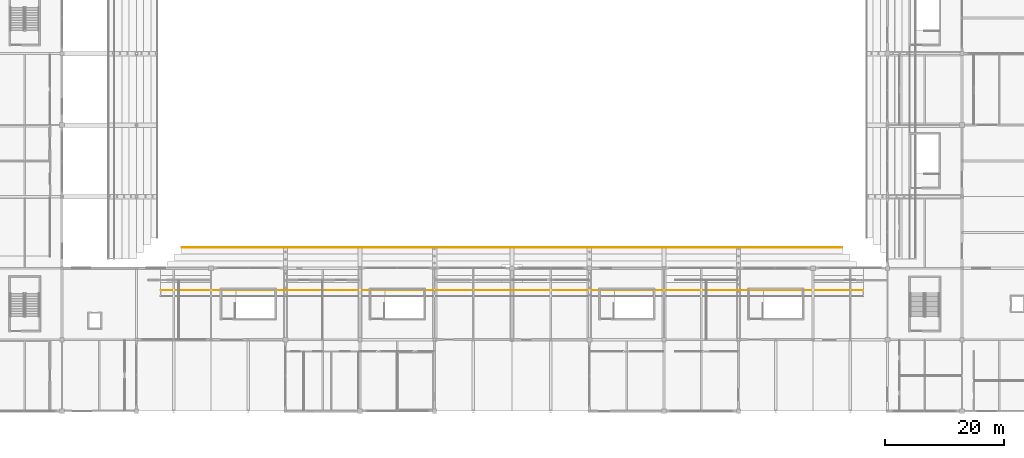
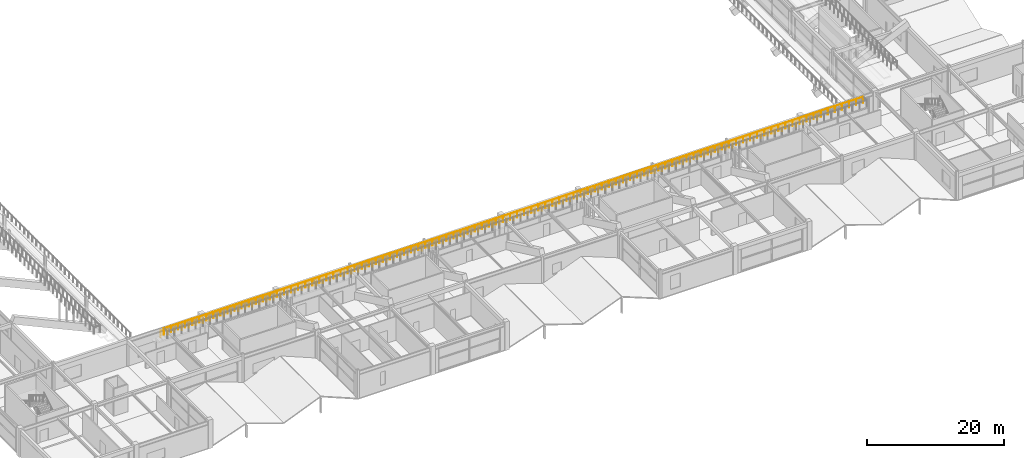
# One storey, part 109 of 128: 2 railings.
"""IFC4 building model written with IfcOpenShell, lengths in metres."""

from ifc_helpers import new_model, si_unit, direction, frame, origin, origin_2d, place, context, subcontext, project, spatial, circle, extrude, material, layer, layer_set, type_object, element, save


model = new_model("IFC4")

# Units and contexts
model_context = context("Model", 3, precision=1e-05, world=origin(), true_north=direction((0.0, 1.0)))
body_context = subcontext(model_context, "Body", "Model", "MODEL_VIEW")
ifc_project = project(units=[si_unit("LENGTHUNIT", "METRE"), si_unit("AREAUNIT", "SQUARE_METRE"), si_unit("VOLUMEUNIT", "CUBIC_METRE"), si_unit("PLANEANGLEUNIT", "RADIAN"), si_unit("MASSUNIT", "GRAM", prefix="KILO")], contexts=[model_context])

# Site, building, storey
site_placement = place(None, origin())
site = spatial("IfcSite", under=ifc_project, at=site_placement, CompositionType="ELEMENT")
building_placement = place(site_placement, origin())
building = spatial("IfcBuilding", under=site, at=building_placement, Name="Kazenohara Klinker Stadium", CompositionType="ELEMENT")
storey_placement = place(building_placement, frame((0.0, 0.0, 15.300048828125)))
storey = spatial("IfcBuildingStorey", under=building, at=storey_placement, Name="L03", CompositionType="ELEMENT", Elevation=15.300048828125)

# Railings
ifc_material = material(Name="Galvanised powder-coated steel guardrail", Category="steel")
ifc_layer = layer(ifc_material, 0.070068359375)
ifc_layer_set = layer_set([ifc_layer], Name="Galvanised powder-coated steel guardrail")
railing_type = type_object("IfcRailingType", Name="RL-GRD-1150", PredefinedType="GUARDRAIL", material=ifc_layer_set)
railing_1_placement = place(storey_placement, frame((53.06005859375, 32.280029296875, 6.349853515625)))
element("IfcRailing", 1, at=railing_1_placement, inside=storey, type_object=railing_type, Name="Spectator stand sightline guardrail TIER-UPPER-S-01-N", PredefinedType="GUARDRAIL", context=body_context, shape_type="SweptSolid", body=[
    extrude(circle(Radius=0.02392578125, at=origin_2d()), frame((0.0, 0.0, 1.1259765625), z_axis=(1.0, 0.0, 0.0), x_axis=(0.0, 1.0, 0.0)), (0.0, 0.0, 1.0), 117.8798828125),
    extrude(circle(Radius=0.02099609375, at=origin_2d()), origin(), (0.0, 0.0, 1.0), 1.101806640625),
    extrude(circle(Radius=0.02099609375, at=origin_2d()), frame((1.190673828125, 0.0, 0.0)), (0.0, 0.0, 1.0), 1.101806640625),
    extrude(circle(Radius=0.02099609375, at=origin_2d()), frame((2.38134765625, 0.0, 0.0)), (0.0, 0.0, 1.0), 1.101806640625),
    extrude(circle(Radius=0.02099609375, at=origin_2d()), frame((3.572021484375, 0.0, 0.0)), (0.0, 0.0, 1.0), 1.101806640625),
    extrude(circle(Radius=0.02099609375, at=origin_2d()), frame((4.762939453125, 0.0, 0.0)), (0.0, 0.0, 1.0), 1.101806640625),
    extrude(circle(Radius=0.02099609375, at=origin_2d()), frame((5.95361328125, 0.0, 0.0)), (0.0, 0.0, 1.0), 1.101806640625),
    extrude(circle(Radius=0.02099609375, at=origin_2d()), frame((7.144287109375, 0.0, 0.0)), (0.0, 0.0, 1.0), 1.101806640625),
    extrude(circle(Radius=0.02099609375, at=origin_2d()), frame((8.3349609375, 0.0, 0.0)), (0.0, 0.0, 1.0), 1.101806640625),
    extrude(circle(Radius=0.02099609375, at=origin_2d()), frame((9.525634765625, 0.0, 0.0)), (0.0, 0.0, 1.0), 1.101806640625),
    extrude(circle(Radius=0.02099609375, at=origin_2d()), frame((10.71630859375, 0.0, 0.0)), (0.0, 0.0, 1.0), 1.101806640625),
    extrude(circle(Radius=0.02099609375, at=origin_2d()), frame((11.906982421875, 0.0, 0.0)), (0.0, 0.0, 1.0), 1.101806640625),
    extrude(circle(Radius=0.02099609375, at=origin_2d()), frame((13.09765625, 0.0, 0.0)), (0.0, 0.0, 1.0), 1.101806640625),
    extrude(circle(Radius=0.02099609375, at=origin_2d()), frame((14.28857421875, 0.0, 0.0)), (0.0, 0.0, 1.0), 1.101806640625),
    extrude(circle(Radius=0.02099609375, at=origin_2d()), frame((15.479248046875, 0.0, 0.0)), (0.0, 0.0, 1.0), 1.101806640625),
    extrude(circle(Radius=0.02099609375, at=origin_2d()), frame((16.669921875, 0.0, 0.0)), (0.0, 0.0, 1.0), 1.101806640625),
    extrude(circle(Radius=0.02099609375, at=origin_2d()), frame((17.860595703125, 0.0, 0.0)), (0.0, 0.0, 1.0), 1.101806640625),
    extrude(circle(Radius=0.02099609375, at=origin_2d()), frame((19.05126953125, 0.0, 0.0)), (0.0, 0.0, 1.0), 1.101806640625),
    extrude(circle(Radius=0.02099609375, at=origin_2d()), frame((20.241943359375, 0.0, 0.0)), (0.0, 0.0, 1.0), 1.101806640625),
    extrude(circle(Radius=0.02099609375, at=origin_2d()), frame((21.4326171875, 0.0, 0.0)), (0.0, 0.0, 1.0), 1.101806640625),
    extrude(circle(Radius=0.02099609375, at=origin_2d()), frame((22.623291015625, 0.0, 0.0)), (0.0, 0.0, 1.0), 1.101806640625),
    extrude(circle(Radius=0.02099609375, at=origin_2d()), frame((23.814208984375, 0.0, 0.0)), (0.0, 0.0, 1.0), 1.101806640625),
    extrude(circle(Radius=0.02099609375, at=origin_2d()), frame((25.0048828125, 0.0, 0.0)), (0.0, 0.0, 1.0), 1.101806640625),
    extrude(circle(Radius=0.02099609375, at=origin_2d()), frame((26.195556640625, 0.0, 0.0)), (0.0, 0.0, 1.0), 1.101806640625),
    extrude(circle(Radius=0.02099609375, at=origin_2d()), frame((27.38623046875, 0.0, 0.0)), (0.0, 0.0, 1.0), 1.101806640625),
    extrude(circle(Radius=0.02099609375, at=origin_2d()), frame((28.576904296875, 0.0, 0.0)), (0.0, 0.0, 1.0), 1.101806640625),
    extrude(circle(Radius=0.02099609375, at=origin_2d()), frame((29.767578125, 0.0, 0.0)), (0.0, 0.0, 1.0), 1.101806640625),
    extrude(circle(Radius=0.02099609375, at=origin_2d()), frame((30.958251953125, 0.0, 0.0)), (0.0, 0.0, 1.0), 1.101806640625),
    extrude(circle(Radius=0.02099609375, at=origin_2d()), frame((32.149169921875, 0.0, 0.0)), (0.0, 0.0, 1.0), 1.101806640625),
    extrude(circle(Radius=0.02099609375, at=origin_2d()), frame((33.33984375, 0.0, 0.0)), (0.0, 0.0, 1.0), 1.101806640625),
    extrude(circle(Radius=0.02099609375, at=origin_2d()), frame((34.530517578125, 0.0, 0.0)), (0.0, 0.0, 1.0), 1.101806640625),
    extrude(circle(Radius=0.02099609375, at=origin_2d()), frame((35.72119140625, 0.0, 0.0)), (0.0, 0.0, 1.0), 1.101806640625),
    extrude(circle(Radius=0.02099609375, at=origin_2d()), frame((36.911865234375, 0.0, 0.0)), (0.0, 0.0, 1.0), 1.101806640625),
    extrude(circle(Radius=0.02099609375, at=origin_2d()), frame((38.1025390625, 0.0, 0.0)), (0.0, 0.0, 1.0), 1.101806640625),
    extrude(circle(Radius=0.02099609375, at=origin_2d()), frame((39.293212890625, 0.0, 0.0)), (0.0, 0.0, 1.0), 1.101806640625),
    extrude(circle(Radius=0.02099609375, at=origin_2d()), frame((40.48388671875, 0.0, 0.0)), (0.0, 0.0, 1.0), 1.101806640625),
    extrude(circle(Radius=0.02099609375, at=origin_2d()), frame((41.6748046875, 0.0, 0.0)), (0.0, 0.0, 1.0), 1.101806640625),
    extrude(circle(Radius=0.02099609375, at=origin_2d()), frame((42.865478515625, 0.0, 0.0)), (0.0, 0.0, 1.0), 1.101806640625),
    extrude(circle(Radius=0.02099609375, at=origin_2d()), frame((44.05615234375, 0.0, 0.0)), (0.0, 0.0, 1.0), 1.101806640625),
    extrude(circle(Radius=0.02099609375, at=origin_2d()), frame((45.246826171875, 0.0, 0.0)), (0.0, 0.0, 1.0), 1.101806640625),
    extrude(circle(Radius=0.02099609375, at=origin_2d()), frame((46.4375, 0.0, 0.0)), (0.0, 0.0, 1.0), 1.101806640625),
    extrude(circle(Radius=0.02099609375, at=origin_2d()), frame((47.628173828125, 0.0, 0.0)), (0.0, 0.0, 1.0), 1.101806640625),
    extrude(circle(Radius=0.02099609375, at=origin_2d()), frame((48.81884765625, 0.0, 0.0)), (0.0, 0.0, 1.0), 1.101806640625),
    extrude(circle(Radius=0.02099609375, at=origin_2d()), frame((50.009765625, 0.0, 0.0)), (0.0, 0.0, 1.0), 1.101806640625),
    extrude(circle(Radius=0.02099609375, at=origin_2d()), frame((51.200439453125, 0.0, 0.0)), (0.0, 0.0, 1.0), 1.101806640625),
    extrude(circle(Radius=0.02099609375, at=origin_2d()), frame((52.39111328125, 0.0, 0.0)), (0.0, 0.0, 1.0), 1.101806640625),
    extrude(circle(Radius=0.02099609375, at=origin_2d()), frame((53.581787109375, 0.0, 0.0)), (0.0, 0.0, 1.0), 1.101806640625),
    extrude(circle(Radius=0.02099609375, at=origin_2d()), frame((54.7724609375, 0.0, 0.0)), (0.0, 0.0, 1.0), 1.101806640625),
    extrude(circle(Radius=0.02099609375, at=origin_2d()), frame((55.963134765625, 0.0, 0.0)), (0.0, 0.0, 1.0), 1.101806640625),
    extrude(circle(Radius=0.02099609375, at=origin_2d()), frame((57.15380859375, 0.0, 0.0)), (0.0, 0.0, 1.0), 1.101806640625),
    extrude(circle(Radius=0.02099609375, at=origin_2d()), frame((58.344482421875, 0.0, 0.0)), (0.0, 0.0, 1.0), 1.101806640625),
    extrude(circle(Radius=0.02099609375, at=origin_2d()), frame((59.535400390625, 0.0, 0.0)), (0.0, 0.0, 1.0), 1.101806640625),
    extrude(circle(Radius=0.02099609375, at=origin_2d()), frame((60.72607421875, 0.0, 0.0)), (0.0, 0.0, 1.0), 1.101806640625),
    extrude(circle(Radius=0.02099609375, at=origin_2d()), frame((61.916748046875, 0.0, 0.0)), (0.0, 0.0, 1.0), 1.101806640625),
    extrude(circle(Radius=0.02099609375, at=origin_2d()), frame((63.107421875, 0.0, 0.0)), (0.0, 0.0, 1.0), 1.101806640625),
    extrude(circle(Radius=0.02099609375, at=origin_2d()), frame((64.298095703125, 0.0, 0.0)), (0.0, 0.0, 1.0), 1.101806640625),
    extrude(circle(Radius=0.02099609375, at=origin_2d()), frame((65.48876953125, 0.0, 0.0)), (0.0, 0.0, 1.0), 1.101806640625),
    extrude(circle(Radius=0.02099609375, at=origin_2d()), frame((66.679443359375, 0.0, 0.0)), (0.0, 0.0, 1.0), 1.101806640625),
    extrude(circle(Radius=0.02099609375, at=origin_2d()), frame((67.8701171875, 0.0, 0.0)), (0.0, 0.0, 1.0), 1.101806640625),
    extrude(circle(Radius=0.02099609375, at=origin_2d()), frame((69.06103515625, 0.0, 0.0)), (0.0, 0.0, 1.0), 1.101806640625),
    extrude(circle(Radius=0.02099609375, at=origin_2d()), frame((70.251708984375, 0.0, 0.0)), (0.0, 0.0, 1.0), 1.101806640625),
    extrude(circle(Radius=0.02099609375, at=origin_2d()), frame((71.4423828125, 0.0, 0.0)), (0.0, 0.0, 1.0), 1.101806640625),
    extrude(circle(Radius=0.02099609375, at=origin_2d()), frame((72.633056640625, 0.0, 0.0)), (0.0, 0.0, 1.0), 1.101806640625),
    extrude(circle(Radius=0.02099609375, at=origin_2d()), frame((73.82373046875, 0.0, 0.0)), (0.0, 0.0, 1.0), 1.101806640625),
    extrude(circle(Radius=0.02099609375, at=origin_2d()), frame((75.014404296875, 0.0, 0.0)), (0.0, 0.0, 1.0), 1.101806640625),
    extrude(circle(Radius=0.02099609375, at=origin_2d()), frame((76.205078125, 0.0, 0.0)), (0.0, 0.0, 1.0), 1.101806640625),
    extrude(circle(Radius=0.02099609375, at=origin_2d()), frame((77.39599609375, 0.0, 0.0)), (0.0, 0.0, 1.0), 1.101806640625),
    extrude(circle(Radius=0.02099609375, at=origin_2d()), frame((78.586669921875, 0.0, 0.0)), (0.0, 0.0, 1.0), 1.101806640625),
    extrude(circle(Radius=0.02099609375, at=origin_2d()), frame((79.77734375, 0.0, 0.0)), (0.0, 0.0, 1.0), 1.101806640625),
    extrude(circle(Radius=0.02099609375, at=origin_2d()), frame((80.968017578125, 0.0, 0.0)), (0.0, 0.0, 1.0), 1.101806640625),
    extrude(circle(Radius=0.02099609375, at=origin_2d()), frame((82.15869140625, 0.0, 0.0)), (0.0, 0.0, 1.0), 1.101806640625),
    extrude(circle(Radius=0.02099609375, at=origin_2d()), frame((83.349365234375, 0.0, 0.0)), (0.0, 0.0, 1.0), 1.101806640625),
    extrude(circle(Radius=0.02099609375, at=origin_2d()), frame((84.5400390625, 0.0, 0.0)), (0.0, 0.0, 1.0), 1.101806640625),
    extrude(circle(Radius=0.02099609375, at=origin_2d()), frame((85.730712890625, 0.0, 0.0)), (0.0, 0.0, 1.0), 1.101806640625),
    extrude(circle(Radius=0.02099609375, at=origin_2d()), frame((86.921630859375, 0.0, 0.0)), (0.0, 0.0, 1.0), 1.101806640625),
    extrude(circle(Radius=0.02099609375, at=origin_2d()), frame((88.1123046875, 0.0, 0.0)), (0.0, 0.0, 1.0), 1.101806640625),
    extrude(circle(Radius=0.02099609375, at=origin_2d()), frame((89.302978515625, 0.0, 0.0)), (0.0, 0.0, 1.0), 1.101806640625),
    extrude(circle(Radius=0.02099609375, at=origin_2d()), frame((90.49365234375, 0.0, 0.0)), (0.0, 0.0, 1.0), 1.101806640625),
    extrude(circle(Radius=0.02099609375, at=origin_2d()), frame((91.684326171875, 0.0, 0.0)), (0.0, 0.0, 1.0), 1.101806640625),
    extrude(circle(Radius=0.02099609375, at=origin_2d()), frame((92.875, 0.0, 0.0)), (0.0, 0.0, 1.0), 1.101806640625),
    extrude(circle(Radius=0.02099609375, at=origin_2d()), frame((94.065673828125, 0.0, 0.0)), (0.0, 0.0, 1.0), 1.101806640625),
    extrude(circle(Radius=0.02099609375, at=origin_2d()), frame((95.256591796875, 0.0, 0.0)), (0.0, 0.0, 1.0), 1.101806640625),
    extrude(circle(Radius=0.02099609375, at=origin_2d()), frame((96.447265625, 0.0, 0.0)), (0.0, 0.0, 1.0), 1.101806640625),
    extrude(circle(Radius=0.02099609375, at=origin_2d()), frame((97.637939453125, 0.0, 0.0)), (0.0, 0.0, 1.0), 1.101806640625),
    extrude(circle(Radius=0.02099609375, at=origin_2d()), frame((98.82861328125, 0.0, 0.0)), (0.0, 0.0, 1.0), 1.101806640625),
    extrude(circle(Radius=0.02099609375, at=origin_2d()), frame((100.019287109375, 0.0, 0.0)), (0.0, 0.0, 1.0), 1.101806640625),
    extrude(circle(Radius=0.02099609375, at=origin_2d()), frame((101.2099609375, 0.0, 0.0)), (0.0, 0.0, 1.0), 1.101806640625),
    extrude(circle(Radius=0.02099609375, at=origin_2d()), frame((102.400634765625, 0.0, 0.0)), (0.0, 0.0, 1.0), 1.101806640625),
    extrude(circle(Radius=0.02099609375, at=origin_2d()), frame((103.59130859375, 0.0, 0.0)), (0.0, 0.0, 1.0), 1.101806640625),
    extrude(circle(Radius=0.02099609375, at=origin_2d()), frame((104.7822265625, 0.0, 0.0)), (0.0, 0.0, 1.0), 1.101806640625),
    extrude(circle(Radius=0.02099609375, at=origin_2d()), frame((105.972900390625, 0.0, 0.0)), (0.0, 0.0, 1.0), 1.101806640625),
    extrude(circle(Radius=0.02099609375, at=origin_2d()), frame((107.16357421875, 0.0, 0.0)), (0.0, 0.0, 1.0), 1.101806640625),
    extrude(circle(Radius=0.02099609375, at=origin_2d()), frame((108.354248046875, 0.0, 0.0)), (0.0, 0.0, 1.0), 1.101806640625),
    extrude(circle(Radius=0.02099609375, at=origin_2d()), frame((109.544921875, 0.0, 0.0)), (0.0, 0.0, 1.0), 1.101806640625),
    extrude(circle(Radius=0.02099609375, at=origin_2d()), frame((110.735595703125, 0.0, 0.0)), (0.0, 0.0, 1.0), 1.101806640625),
    extrude(circle(Radius=0.02099609375, at=origin_2d()), frame((111.92626953125, 0.0, 0.0)), (0.0, 0.0, 1.0), 1.101806640625),
    extrude(circle(Radius=0.02099609375, at=origin_2d()), frame((113.116943359375, 0.0, 0.0)), (0.0, 0.0, 1.0), 1.101806640625),
    extrude(circle(Radius=0.02099609375, at=origin_2d()), frame((114.307861328125, 0.0, 0.0)), (0.0, 0.0, 1.0), 1.101806640625),
    extrude(circle(Radius=0.02099609375, at=origin_2d()), frame((115.49853515625, 0.0, 0.0)), (0.0, 0.0, 1.0), 1.101806640625),
    extrude(circle(Radius=0.02099609375, at=origin_2d()), frame((116.689208984375, 0.0, 0.0)), (0.0, 0.0, 1.0), 1.101806640625),
    extrude(circle(Radius=0.02099609375, at=origin_2d()), frame((117.8798828125, 0.0, 0.0)), (0.0, 0.0, 1.0), 1.101806640625),
])
railing_2_placement = place(storey_placement, frame((56.639892578125, 39.47998046875, 0.300048828125)))
element("IfcRailing", 2, at=railing_2_placement, inside=storey, type_object=railing_type, Name="Spectator stand sightline guardrail TIER-UPPER-S-07", PredefinedType="GUARDRAIL", context=body_context, shape_type="SweptSolid", body=[
    extrude(circle(Radius=0.02392578125, at=origin_2d()), frame((0.0, 0.0, 1.1259765625), z_axis=(1.0, 0.0, 0.0), x_axis=(0.0, 1.0, 0.0)), (0.0, 0.0, 1.0), 110.72021484375),
    extrude(circle(Radius=0.02099609375, at=origin_2d()), origin(), (0.0, 0.0, 1.0), 1.101806640625),
    extrude(circle(Radius=0.02099609375, at=origin_2d()), frame((1.1904296875, 0.0, 0.0)), (0.0, 0.0, 1.0), 1.101806640625),
    extrude(circle(Radius=0.02099609375, at=origin_2d()), frame((2.381103515625, 0.0, 0.0)), (0.0, 0.0, 1.0), 1.101806640625),
    extrude(circle(Radius=0.02099609375, at=origin_2d()), frame((3.571533203125, 0.0, 0.0)), (0.0, 0.0, 1.0), 1.101806640625),
    extrude(circle(Radius=0.02099609375, at=origin_2d()), frame((4.76220703125, 0.0, 0.0)), (0.0, 0.0, 1.0), 1.101806640625),
    extrude(circle(Radius=0.02099609375, at=origin_2d()), frame((5.95263671875, 0.0, 0.0)), (0.0, 0.0, 1.0), 1.101806640625),
    extrude(circle(Radius=0.02099609375, at=origin_2d()), frame((7.143310546875, 0.0, 0.0)), (0.0, 0.0, 1.0), 1.101806640625),
    extrude(circle(Radius=0.02099609375, at=origin_2d()), frame((8.333740234375, 0.0, 0.0)), (0.0, 0.0, 1.0), 1.101806640625),
    extrude(circle(Radius=0.02099609375, at=origin_2d()), frame((9.5244140625, 0.0, 0.0)), (0.0, 0.0, 1.0), 1.101806640625),
    extrude(circle(Radius=0.02099609375, at=origin_2d()), frame((10.71484375, 0.0, 0.0)), (0.0, 0.0, 1.0), 1.101806640625),
    extrude(circle(Radius=0.02099609375, at=origin_2d()), frame((11.905517578125, 0.0, 0.0)), (0.0, 0.0, 1.0), 1.101806640625),
    extrude(circle(Radius=0.02099609375, at=origin_2d()), frame((13.095947265625, 0.0, 0.0)), (0.0, 0.0, 1.0), 1.101806640625),
    extrude(circle(Radius=0.02099609375, at=origin_2d()), frame((14.286376953125, 0.0, 0.0)), (0.0, 0.0, 1.0), 1.101806640625),
    extrude(circle(Radius=0.02099609375, at=origin_2d()), frame((15.47705078125, 0.0, 0.0)), (0.0, 0.0, 1.0), 1.101806640625),
    extrude(circle(Radius=0.02099609375, at=origin_2d()), frame((16.66748046875, 0.0, 0.0)), (0.0, 0.0, 1.0), 1.101806640625),
    extrude(circle(Radius=0.02099609375, at=origin_2d()), frame((17.858154296875, 0.0, 0.0)), (0.0, 0.0, 1.0), 1.101806640625),
    extrude(circle(Radius=0.02099609375, at=origin_2d()), frame((19.048583984375, 0.0, 0.0)), (0.0, 0.0, 1.0), 1.101806640625),
    extrude(circle(Radius=0.02099609375, at=origin_2d()), frame((20.2392578125, 0.0, 0.0)), (0.0, 0.0, 1.0), 1.101806640625),
    extrude(circle(Radius=0.02099609375, at=origin_2d()), frame((21.4296875, 0.0, 0.0)), (0.0, 0.0, 1.0), 1.101806640625),
    extrude(circle(Radius=0.02099609375, at=origin_2d()), frame((22.620361328125, 0.0, 0.0)), (0.0, 0.0, 1.0), 1.101806640625),
    extrude(circle(Radius=0.02099609375, at=origin_2d()), frame((23.810791015625, 0.0, 0.0)), (0.0, 0.0, 1.0), 1.101806640625),
    extrude(circle(Radius=0.02099609375, at=origin_2d()), frame((25.001220703125, 0.0, 0.0)), (0.0, 0.0, 1.0), 1.101806640625),
    extrude(circle(Radius=0.02099609375, at=origin_2d()), frame((26.19189453125, 0.0, 0.0)), (0.0, 0.0, 1.0), 1.101806640625),
    extrude(circle(Radius=0.02099609375, at=origin_2d()), frame((27.38232421875, 0.0, 0.0)), (0.0, 0.0, 1.0), 1.101806640625),
    extrude(circle(Radius=0.02099609375, at=origin_2d()), frame((28.572998046875, 0.0, 0.0)), (0.0, 0.0, 1.0), 1.101806640625),
    extrude(circle(Radius=0.02099609375, at=origin_2d()), frame((29.763427734375, 0.0, 0.0)), (0.0, 0.0, 1.0), 1.101806640625),
    extrude(circle(Radius=0.02099609375, at=origin_2d()), frame((30.9541015625, 0.0, 0.0)), (0.0, 0.0, 1.0), 1.101806640625),
    extrude(circle(Radius=0.02099609375, at=origin_2d()), frame((32.14453125, 0.0, 0.0)), (0.0, 0.0, 1.0), 1.101806640625),
    extrude(circle(Radius=0.02099609375, at=origin_2d()), frame((33.335205078125, 0.0, 0.0)), (0.0, 0.0, 1.0), 1.101806640625),
    extrude(circle(Radius=0.02099609375, at=origin_2d()), frame((34.525634765625, 0.0, 0.0)), (0.0, 0.0, 1.0), 1.101806640625),
    extrude(circle(Radius=0.02099609375, at=origin_2d()), frame((35.71630859375, 0.0, 0.0)), (0.0, 0.0, 1.0), 1.101806640625),
    extrude(circle(Radius=0.02099609375, at=origin_2d()), frame((36.90673828125, 0.0, 0.0)), (0.0, 0.0, 1.0), 1.101806640625),
    extrude(circle(Radius=0.02099609375, at=origin_2d()), frame((38.09716796875, 0.0, 0.0)), (0.0, 0.0, 1.0), 1.101806640625),
    extrude(circle(Radius=0.02099609375, at=origin_2d()), frame((39.287841796875, 0.0, 0.0)), (0.0, 0.0, 1.0), 1.101806640625),
    extrude(circle(Radius=0.02099609375, at=origin_2d()), frame((40.478271484375, 0.0, 0.0)), (0.0, 0.0, 1.0), 1.101806640625),
    extrude(circle(Radius=0.02099609375, at=origin_2d()), frame((41.6689453125, 0.0, 0.0)), (0.0, 0.0, 1.0), 1.101806640625),
    extrude(circle(Radius=0.02099609375, at=origin_2d()), frame((42.859375, 0.0, 0.0)), (0.0, 0.0, 1.0), 1.101806640625),
    extrude(circle(Radius=0.02099609375, at=origin_2d()), frame((44.050048828125, 0.0, 0.0)), (0.0, 0.0, 1.0), 1.101806640625),
    extrude(circle(Radius=0.02099609375, at=origin_2d()), frame((45.240478515625, 0.0, 0.0)), (0.0, 0.0, 1.0), 1.101806640625),
    extrude(circle(Radius=0.02099609375, at=origin_2d()), frame((46.43115234375, 0.0, 0.0)), (0.0, 0.0, 1.0), 1.101806640625),
    extrude(circle(Radius=0.02099609375, at=origin_2d()), frame((47.62158203125, 0.0, 0.0)), (0.0, 0.0, 1.0), 1.101806640625),
    extrude(circle(Radius=0.02099609375, at=origin_2d()), frame((48.812255859375, 0.0, 0.0)), (0.0, 0.0, 1.0), 1.101806640625),
    extrude(circle(Radius=0.02099609375, at=origin_2d()), frame((50.002685546875, 0.0, 0.0)), (0.0, 0.0, 1.0), 1.101806640625),
    extrude(circle(Radius=0.02099609375, at=origin_2d()), frame((51.193115234375, 0.0, 0.0)), (0.0, 0.0, 1.0), 1.101806640625),
    extrude(circle(Radius=0.02099609375, at=origin_2d()), frame((52.3837890625, 0.0, 0.0)), (0.0, 0.0, 1.0), 1.101806640625),
    extrude(circle(Radius=0.02099609375, at=origin_2d()), frame((53.57421875, 0.0, 0.0)), (0.0, 0.0, 1.0), 1.101806640625),
    extrude(circle(Radius=0.02099609375, at=origin_2d()), frame((54.764892578125, 0.0, 0.0)), (0.0, 0.0, 1.0), 1.101806640625),
    extrude(circle(Radius=0.02099609375, at=origin_2d()), frame((55.955322265625, 0.0, 0.0)), (0.0, 0.0, 1.0), 1.101806640625),
    extrude(circle(Radius=0.02099609375, at=origin_2d()), frame((57.14599609375, 0.0, 0.0)), (0.0, 0.0, 1.0), 1.101806640625),
    extrude(circle(Radius=0.02099609375, at=origin_2d()), frame((58.33642578125, 0.0, 0.0)), (0.0, 0.0, 1.0), 1.101806640625),
    extrude(circle(Radius=0.02099609375, at=origin_2d()), frame((59.527099609375, 0.0, 0.0)), (0.0, 0.0, 1.0), 1.101806640625),
    extrude(circle(Radius=0.02099609375, at=origin_2d()), frame((60.717529296875, 0.0, 0.0)), (0.0, 0.0, 1.0), 1.101806640625),
    extrude(circle(Radius=0.02099609375, at=origin_2d()), frame((61.907958984375, 0.0, 0.0)), (0.0, 0.0, 1.0), 1.101806640625),
    extrude(circle(Radius=0.02099609375, at=origin_2d()), frame((63.0986328125, 0.0, 0.0)), (0.0, 0.0, 1.0), 1.101806640625),
    extrude(circle(Radius=0.02099609375, at=origin_2d()), frame((64.2890625, 0.0, 0.0)), (0.0, 0.0, 1.0), 1.101806640625),
    extrude(circle(Radius=0.02099609375, at=origin_2d()), frame((65.479736328125, 0.0, 0.0)), (0.0, 0.0, 1.0), 1.101806640625),
    extrude(circle(Radius=0.02099609375, at=origin_2d()), frame((66.670166015625, 0.0, 0.0)), (0.0, 0.0, 1.0), 1.101806640625),
    extrude(circle(Radius=0.02099609375, at=origin_2d()), frame((67.86083984375, 0.0, 0.0)), (0.0, 0.0, 1.0), 1.101806640625),
    extrude(circle(Radius=0.02099609375, at=origin_2d()), frame((69.05126953125, 0.0, 0.0)), (0.0, 0.0, 1.0), 1.101806640625),
    extrude(circle(Radius=0.02099609375, at=origin_2d()), frame((70.241943359375, 0.0, 0.0)), (0.0, 0.0, 1.0), 1.101806640625),
    extrude(circle(Radius=0.02099609375, at=origin_2d()), frame((71.432373046875, 0.0, 0.0)), (0.0, 0.0, 1.0), 1.101806640625),
    extrude(circle(Radius=0.02099609375, at=origin_2d()), frame((72.623046875, 0.0, 0.0)), (0.0, 0.0, 1.0), 1.101806640625),
    extrude(circle(Radius=0.02099609375, at=origin_2d()), frame((73.8134765625, 0.0, 0.0)), (0.0, 0.0, 1.0), 1.101806640625),
    extrude(circle(Radius=0.02099609375, at=origin_2d()), frame((75.00390625, 0.0, 0.0)), (0.0, 0.0, 1.0), 1.101806640625),
    extrude(circle(Radius=0.02099609375, at=origin_2d()), frame((76.194580078125, 0.0, 0.0)), (0.0, 0.0, 1.0), 1.101806640625),
    extrude(circle(Radius=0.02099609375, at=origin_2d()), frame((77.385009765625, 0.0, 0.0)), (0.0, 0.0, 1.0), 1.101806640625),
    extrude(circle(Radius=0.02099609375, at=origin_2d()), frame((78.57568359375, 0.0, 0.0)), (0.0, 0.0, 1.0), 1.101806640625),
    extrude(circle(Radius=0.02099609375, at=origin_2d()), frame((79.76611328125, 0.0, 0.0)), (0.0, 0.0, 1.0), 1.101806640625),
    extrude(circle(Radius=0.02099609375, at=origin_2d()), frame((80.956787109375, 0.0, 0.0)), (0.0, 0.0, 1.0), 1.101806640625),
    extrude(circle(Radius=0.02099609375, at=origin_2d()), frame((82.147216796875, 0.0, 0.0)), (0.0, 0.0, 1.0), 1.101806640625),
    extrude(circle(Radius=0.02099609375, at=origin_2d()), frame((83.337890625, 0.0, 0.0)), (0.0, 0.0, 1.0), 1.101806640625),
    extrude(circle(Radius=0.02099609375, at=origin_2d()), frame((84.5283203125, 0.0, 0.0)), (0.0, 0.0, 1.0), 1.101806640625),
    extrude(circle(Radius=0.02099609375, at=origin_2d()), frame((85.718994140625, 0.0, 0.0)), (0.0, 0.0, 1.0), 1.101806640625),
    extrude(circle(Radius=0.02099609375, at=origin_2d()), frame((86.909423828125, 0.0, 0.0)), (0.0, 0.0, 1.0), 1.101806640625),
    extrude(circle(Radius=0.02099609375, at=origin_2d()), frame((88.099853515625, 0.0, 0.0)), (0.0, 0.0, 1.0), 1.101806640625),
    extrude(circle(Radius=0.02099609375, at=origin_2d()), frame((89.29052734375, 0.0, 0.0)), (0.0, 0.0, 1.0), 1.101806640625),
    extrude(circle(Radius=0.02099609375, at=origin_2d()), frame((90.48095703125, 0.0, 0.0)), (0.0, 0.0, 1.0), 1.101806640625),
    extrude(circle(Radius=0.02099609375, at=origin_2d()), frame((91.671630859375, 0.0, 0.0)), (0.0, 0.0, 1.0), 1.101806640625),
    extrude(circle(Radius=0.02099609375, at=origin_2d()), frame((92.862060546875, 0.0, 0.0)), (0.0, 0.0, 1.0), 1.101806640625),
    extrude(circle(Radius=0.02099609375, at=origin_2d()), frame((94.052734375, 0.0, 0.0)), (0.0, 0.0, 1.0), 1.101806640625),
    extrude(circle(Radius=0.02099609375, at=origin_2d()), frame((95.2431640625, 0.0, 0.0)), (0.0, 0.0, 1.0), 1.101806640625),
    extrude(circle(Radius=0.02099609375, at=origin_2d()), frame((96.433837890625, 0.0, 0.0)), (0.0, 0.0, 1.0), 1.101806640625),
    extrude(circle(Radius=0.02099609375, at=origin_2d()), frame((97.624267578125, 0.0, 0.0)), (0.0, 0.0, 1.0), 1.101806640625),
    extrude(circle(Radius=0.02099609375, at=origin_2d()), frame((98.814697265625, 0.0, 0.0)), (0.0, 0.0, 1.0), 1.101806640625),
    extrude(circle(Radius=0.02099609375, at=origin_2d()), frame((100.00537109375, 0.0, 0.0)), (0.0, 0.0, 1.0), 1.101806640625),
    extrude(circle(Radius=0.02099609375, at=origin_2d()), frame((101.19580078125, 0.0, 0.0)), (0.0, 0.0, 1.0), 1.101806640625),
    extrude(circle(Radius=0.02099609375, at=origin_2d()), frame((102.386474609375, 0.0, 0.0)), (0.0, 0.0, 1.0), 1.101806640625),
    extrude(circle(Radius=0.02099609375, at=origin_2d()), frame((103.576904296875, 0.0, 0.0)), (0.0, 0.0, 1.0), 1.101806640625),
    extrude(circle(Radius=0.02099609375, at=origin_2d()), frame((104.767578125, 0.0, 0.0)), (0.0, 0.0, 1.0), 1.101806640625),
    extrude(circle(Radius=0.02099609375, at=origin_2d()), frame((105.9580078125, 0.0, 0.0)), (0.0, 0.0, 1.0), 1.101806640625),
    extrude(circle(Radius=0.02099609375, at=origin_2d()), frame((107.148681640625, 0.0, 0.0)), (0.0, 0.0, 1.0), 1.101806640625),
    extrude(circle(Radius=0.02099609375, at=origin_2d()), frame((108.339111328125, 0.0, 0.0)), (0.0, 0.0, 1.0), 1.101806640625),
    extrude(circle(Radius=0.02099609375, at=origin_2d()), frame((109.52978515625, 0.0, 0.0)), (0.0, 0.0, 1.0), 1.101806640625),
    extrude(circle(Radius=0.02099609375, at=origin_2d()), frame((110.72021484375, 0.0, 0.0)), (0.0, 0.0, 1.0), 1.101806640625),
])

save(model, "model.ifc")
